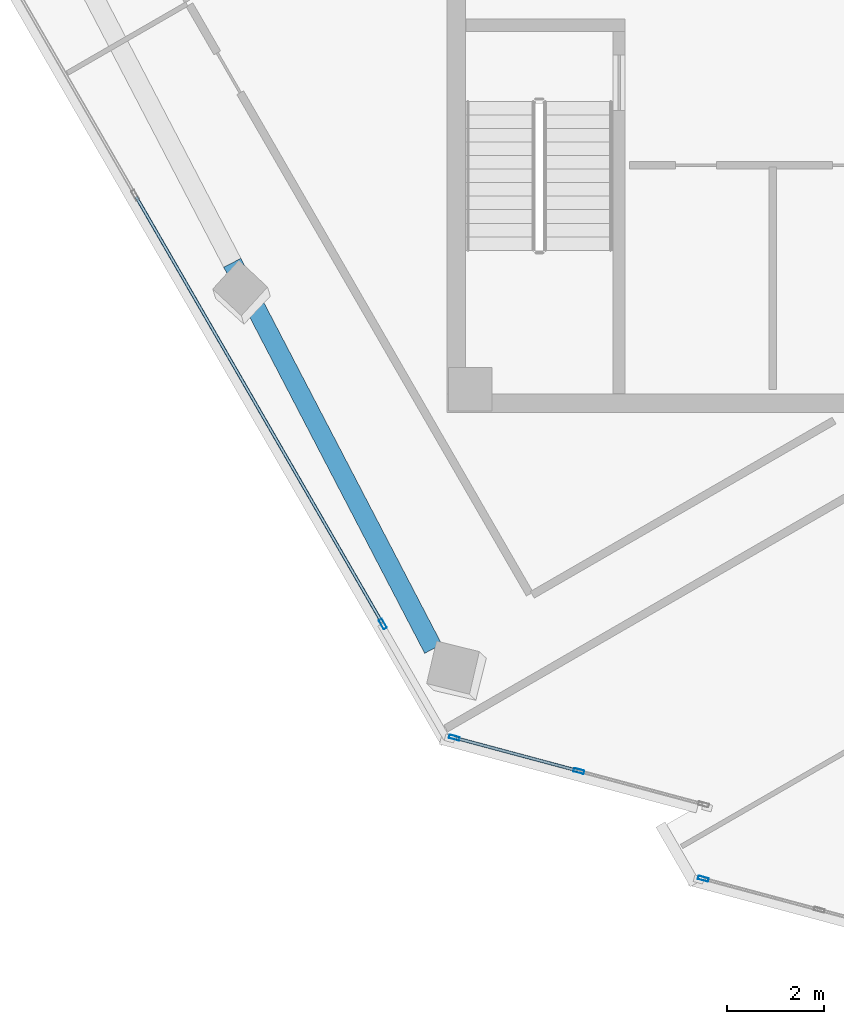
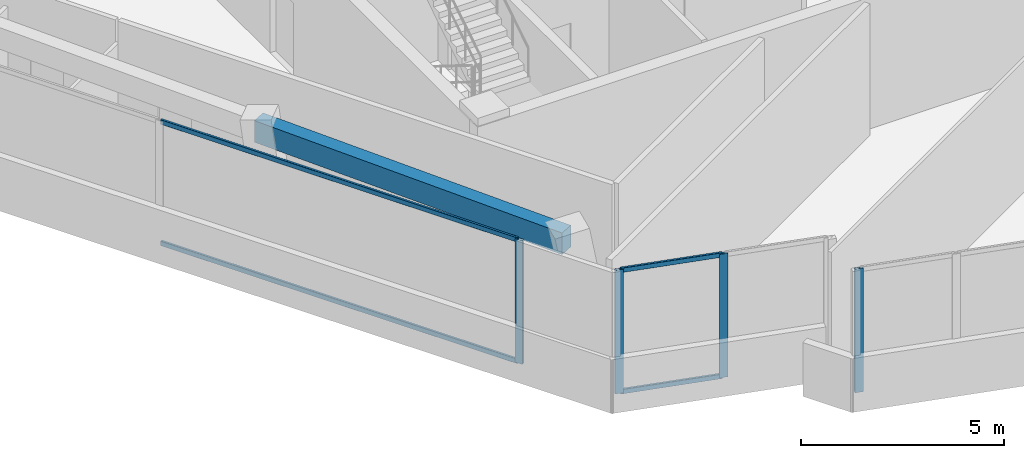
# One storey, part 2 of 15: 8 members, 1 beam, 3 elements without a shape of their own.
"""IFC4 building model written with IfcOpenShell, lengths in metres."""

from ifc_helpers import new_model, si_unit, direction, frame, origin, origin_2d, place, context, subcontext, project, spatial, rectangle, hollow_rectangle, extrude, source, transform, mapped, material, material_profile, profile_set, type_object, element, aggregate, save


model = new_model("IFC4")

# Units and contexts
model_context = context("Model", 3, precision=1e-05, world=origin(), true_north=direction((0.0, 1.0)))
body_context = subcontext(model_context, "Body", "Model", "MODEL_VIEW")
ifc_project = project(units=[si_unit("LENGTHUNIT", "METRE"), si_unit("AREAUNIT", "SQUARE_METRE"), si_unit("VOLUMEUNIT", "CUBIC_METRE"), si_unit("PLANEANGLEUNIT", "RADIAN"), si_unit("MASSUNIT", "GRAM", prefix="KILO")], contexts=[model_context])

# Site, building, storey
site_placement = place(None, origin())
site = spatial("IfcSite", under=ifc_project, at=site_placement, CompositionType="ELEMENT")
building_placement = place(site_placement, origin())
building = spatial("IfcBuilding", under=site, at=building_placement, Name="Torre Montelarca", CompositionType="ELEMENT")
storey_placement = place(building_placement, frame((0.0, 0.0, 324.0)))
storey = spatial("IfcBuildingStorey", under=building, at=storey_placement, Name="L73", CompositionType="ELEMENT", Elevation=324.0)

# Beam
ifc_material_1 = material(Name="Concrete C40/50", Category="concrete")
ifc_material_profile_1 = material_profile(ifc_material_1, rectangle(XDim=0.39990234375, YDim=0.64990234375, at=origin_2d()), Name="RCB400X650", Category="concrete")
ifc_profile_set_1 = profile_set([ifc_material_profile_1], Name="Concrete C40/50")
beam_type = type_object("IfcBeamType", Name="BM-SP-RC650-EXT", PredefinedType="SPANDREL", material=ifc_profile_set_1)
shared_shape_1 = source(origin(), body_context, "Body", "SweptSolid", [
    extrude(rectangle(XDim=0.39990234375, YDim=0.64990234375, at=origin_2d()), origin(), (0.0, 0.0, 1.0), 9.0),
])
beam_placement = place(storey_placement, frame((4.627197265625, 27.16259765625, 3.635009765625), z_axis=(0.461748143991, -0.887011077451, 0.0), x_axis=(0.887011077451, 0.461748143991, 0.0)))
element("IfcBeam", 1, at=beam_placement, inside=storey, type_object=beam_type, Name="L73 Grid Girder X 18.0-27.0 at Y=14.8", PredefinedType="SPANDREL", context=body_context, shape_type="MappedRepresentation", body=[
    mapped(shared_shape_1, transform((0.0, 0.0, 0.0), scale=1.0)),
])

# Curtain wall, member
ifc_material_2 = material(Name="Insulated low-E laminated glass", Category="glass")
curtain_wall_type = type_object("IfcCurtainWallType", Name="CW-SYS-Z4", PredefinedType="USERDEFINED", material=ifc_material_2)
curtain_wall_1_placement = place(storey_placement, origin())
curtain_wall_1 = element("IfcCurtainWall", 2, at=curtain_wall_1_placement, inside=storey, type_object=curtain_wall_type, Name="L73 Curtain Wall Run CW-T3-L73-E01-B1", ObjectType="UNITISED GLAZING", PredefinedType="USERDEFINED")
ifc_material_3 = material(Name="Anodised aluminium AA 6063-T6", Category="aluminium")
ifc_material_profile_2 = material_profile(ifc_material_3, hollow_rectangle(XDim=0.074951171875, YDim=0.219970703125, WallThickness=0.0048828125, InnerFilletRadius=0.0048828125, OuterFilletRadius=0.010009765625, at=origin_2d()), Name="ALU75X220X5", Category="aluminium")
ifc_profile_set_2 = profile_set([ifc_material_profile_2], Name="Anodised aluminium AA 6063-T6")
member_type_1 = type_object("IfcMemberType", Name="CWM-ALU220", PredefinedType="MULLION", material=ifc_profile_set_2)
shared_shape_2 = source(origin(), body_context, "Body", "SweptSolid", [
    extrude(hollow_rectangle(XDim=0.074951171875, YDim=0.219970703125, WallThickness=0.0048828125, InnerFilletRadius=0.0048828125, OuterFilletRadius=0.010009765625, at=origin_2d()), origin(), (0.0, 0.0, 1.0), 3.719970703125),
])
member_1_placement = place(storey_placement, frame((7.7392578125, 19.694091796875, 0.0), z_axis=(0.0, 0.0, 1.0), x_axis=(0.866025286839, 0.500000202556, 0.0)))
member_1 = element("IfcMember", 3, at=member_1_placement, type_object=member_type_1, Name="CW mullion 3", PredefinedType="MULLION", context=body_context, shape_type="MappedRepresentation", body=[
    mapped(shared_shape_2, transform((0.0, 0.0, 0.0), scale=1.0)),
])

# Curtain wall, members
curtain_wall_2_placement = place(storey_placement, origin())
curtain_wall_2 = element("IfcCurtainWall", 4, at=curtain_wall_2_placement, inside=storey, type_object=curtain_wall_type, Name="L73 Curtain Wall Run CW-T3-L73-E02-B1", ObjectType="UNITISED GLAZING", PredefinedType="USERDEFINED")
member_2_placement = place(storey_placement, frame((9.218505859375, 17.34375, 0.0), z_axis=(0.0, 0.0, 1.0), x_axis=(0.25881985568, 0.965925609095, 0.0)))
member_2 = element("IfcMember", 5, at=member_2_placement, type_object=member_type_1, Name="CW mullion 1", PredefinedType="MULLION", context=body_context, shape_type="MappedRepresentation", body=[
    mapped(shared_shape_2, transform((0.0, 0.0, 0.0), scale=1.0)),
])
member_3_placement = place(storey_placement, frame((11.794921875, 16.6533203125, 0.0), z_axis=(0.0, 0.0, 1.0), x_axis=(0.25881985568, 0.965925609095, 0.0)))
member_3 = element("IfcMember", 6, at=member_3_placement, type_object=member_type_1, Name="CW mullion 2", PredefinedType="MULLION", context=body_context, shape_type="MappedRepresentation", body=[
    mapped(shared_shape_2, transform((0.0, 0.0, 0.0), scale=1.0)),
])

# Curtain wall, member
curtain_wall_3_placement = place(storey_placement, origin())
curtain_wall_3 = element("IfcCurtainWall", 7, at=curtain_wall_3_placement, inside=storey, type_object=curtain_wall_type, Name="L73 Curtain Wall Run CW-T3-L73-E05-B1", ObjectType="UNITISED GLAZING", PredefinedType="USERDEFINED")
member_4_placement = place(storey_placement, frame((14.366455078125, 14.427001953125, 0.0), z_axis=(0.0, 0.0, 1.0), x_axis=(0.258815391137, 0.965926805359, 0.0)))
member_4 = element("IfcMember", 8, at=member_4_placement, type_object=member_type_1, Name="CW mullion 1", PredefinedType="MULLION", context=body_context, shape_type="MappedRepresentation", body=[
    mapped(shared_shape_2, transform((0.0, 0.0, 0.0), scale=1.0)),
])
aggregate(curtain_wall_3, [member_4])

# Member
ifc_material_profile_3 = material_profile(ifc_material_3, hollow_rectangle(XDim=0.06494140625, YDim=0.139892578125, WallThickness=0.00390625, InnerFilletRadius=0.00390625, OuterFilletRadius=0.008056640625, at=origin_2d()), Name="ALU65X140X4", Category="aluminium")
ifc_profile_set_3 = profile_set([ifc_material_profile_3], Name="Anodised aluminium AA 6063-T6")
member_type_2 = type_object("IfcMemberType", Name="CWT-ALU140", PredefinedType="USERDEFINED", material=ifc_profile_set_3)
shared_shape_3 = source(origin(), body_context, "Body", "SweptSolid", [
    extrude(hollow_rectangle(XDim=0.06494140625, YDim=0.139892578125, WallThickness=0.00390625, InnerFilletRadius=0.00390625, OuterFilletRadius=0.008056640625, at=origin_2d()), origin(), (0.0, 0.0, 1.0), 2.592529296875),
])
member_5_placement = place(storey_placement, frame((9.254638671875, 17.333984375, 0.032470703125), z_axis=(0.965934180518, -0.258787864684, 0.0), x_axis=(0.258787864684, 0.965934180518, 0.0)))
member_5 = element("IfcMember", 9, at=member_5_placement, type_object=member_type_2, Name="CW transom 1.1", ObjectType="TRANSOM", PredefinedType="USERDEFINED", context=body_context, shape_type="MappedRepresentation", body=[
    mapped(shared_shape_3, transform((0.0, 0.0, 0.0), scale=1.0)),
])

member_6_placement = place(storey_placement, frame((9.254638671875, 17.333984375, 3.6875), z_axis=(0.965934180518, -0.258787864684, 0.0), x_axis=(0.258787864684, 0.965934180518, 0.0)))
member_6 = element("IfcMember", 10, at=member_6_placement, type_object=member_type_2, Name="CW transom 1.2", ObjectType="TRANSOM", PredefinedType="USERDEFINED", context=body_context, shape_type="MappedRepresentation", body=[
    mapped(shared_shape_3, transform((0.0, 0.0, 0.0), scale=1.0)),
])

aggregate(curtain_wall_2, [member_2, member_3, member_5, member_6])

shared_shape_4 = source(origin(), body_context, "Body", "SweptSolid", [
    extrude(hollow_rectangle(XDim=0.06494140625, YDim=0.139892578125, WallThickness=0.00390625, InnerFilletRadius=0.00390625, OuterFilletRadius=0.008056640625, at=origin_2d()), origin(), (0.0, 0.0, 1.0), 10.161865234375),
])
member_7_placement = place(storey_placement, frame((2.6396484375, 28.52685546875, 0.032470703125), z_axis=(0.500014995272, -0.866016746087, 0.0), x_axis=(0.866016746087, 0.500014995272, 0.0)))
member_7 = element("IfcMember", 11, at=member_7_placement, type_object=member_type_2, Name="CW transom 2.1", ObjectType="TRANSOM", PredefinedType="USERDEFINED", context=body_context, shape_type="MappedRepresentation", body=[
    mapped(shared_shape_4, transform((0.0, 0.0, 0.0), scale=1.0)),
])

member_8_placement = place(storey_placement, frame((2.6396484375, 28.52685546875, 3.6875), z_axis=(0.500014995272, -0.866016746087, 0.0), x_axis=(0.866016746087, 0.500014995272, 0.0)))
member_8 = element("IfcMember", 12, at=member_8_placement, type_object=member_type_2, Name="CW transom 2.2", ObjectType="TRANSOM", PredefinedType="USERDEFINED", context=body_context, shape_type="MappedRepresentation", body=[
    mapped(shared_shape_4, transform((0.0, 0.0, 0.0), scale=1.0)),
])

aggregate(curtain_wall_1, [member_1, member_7, member_8])

save(model, "model.ifc")
